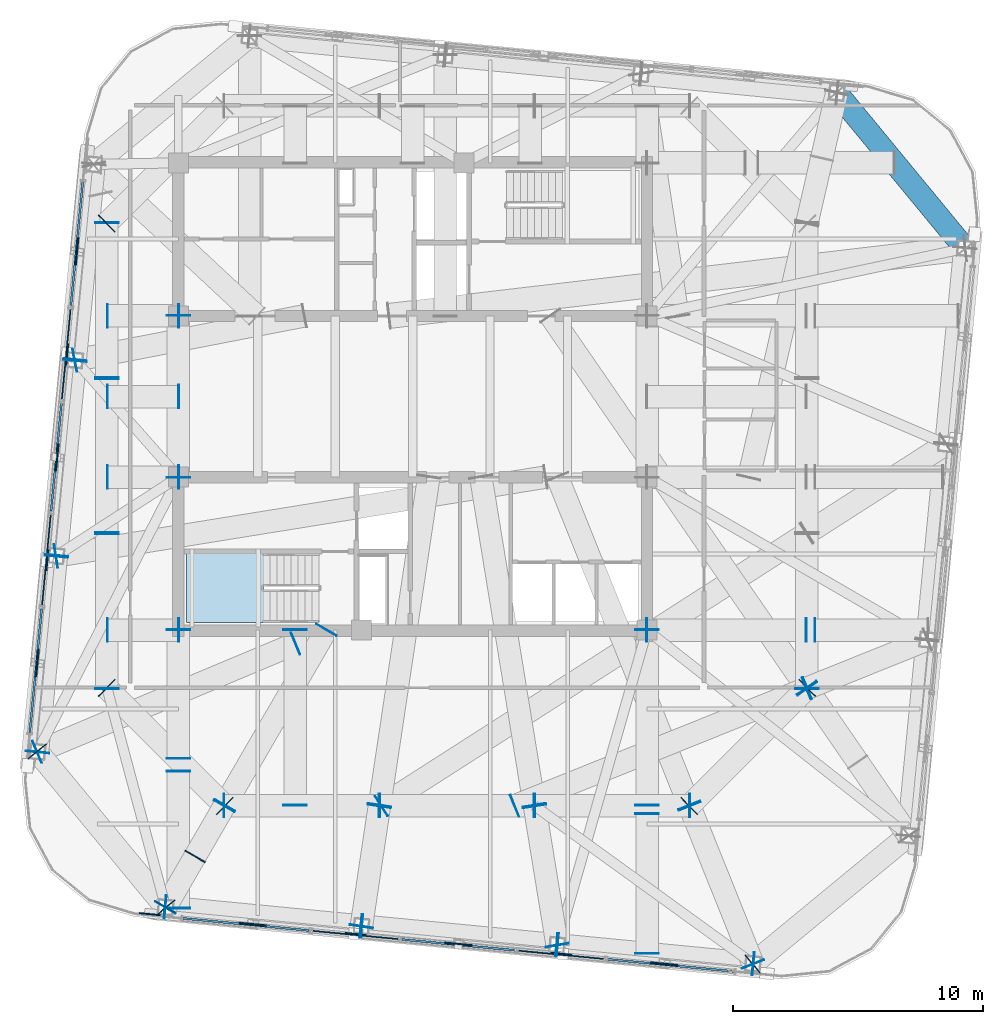
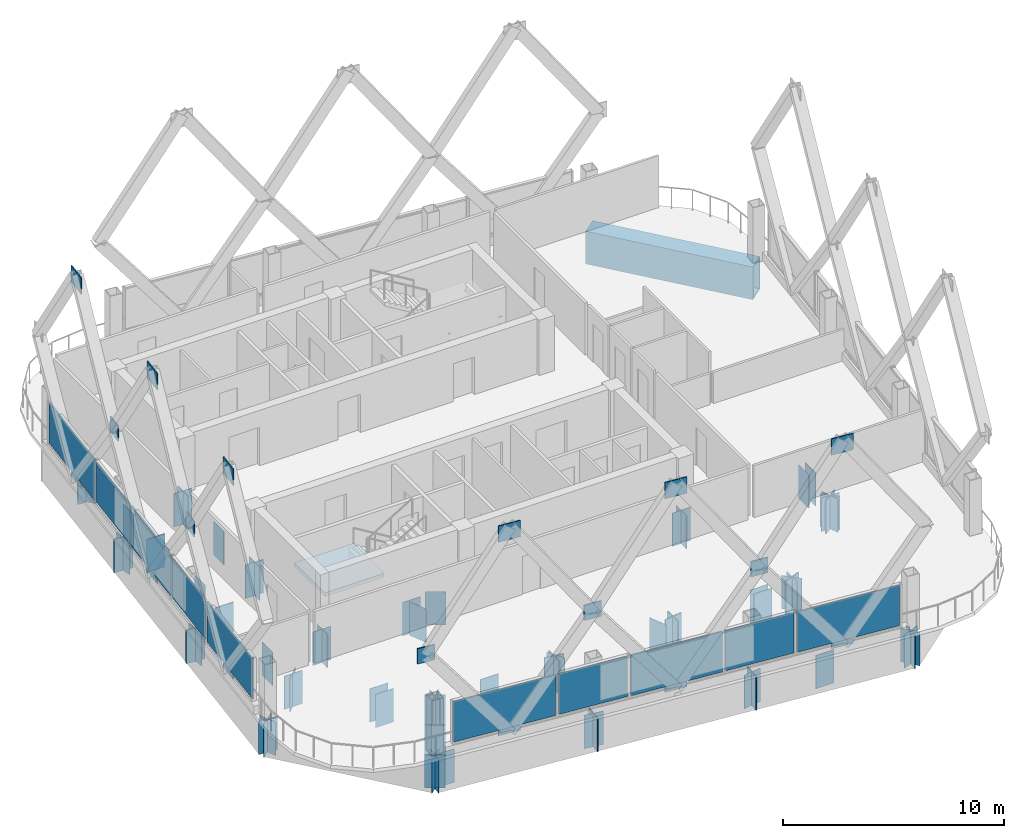
# One storey, part 23 of 31: 107 plates, 1 beam, 1 slab, 11 elements without a shape of their own.
"""IFC4 building model written with IfcOpenShell, lengths in metres."""

from ifc_helpers import new_model, si_unit, direction, frame, origin, origin_2d, place, context, subcontext, project, spatial, polyline, rectangle, hollow_rectangle, outline, extrude, material, layer, layer_set, material_profile, profile_set, type_object, element, aggregate, save


model = new_model("IFC4")

# Units and contexts
model_context = context("Model", 3, precision=1e-05, world=origin(), true_north=direction((0.0, 1.0)))
body_context = subcontext(model_context, "Body", "Model", "MODEL_VIEW")
ifc_project = project(units=[si_unit("LENGTHUNIT", "METRE"), si_unit("AREAUNIT", "SQUARE_METRE"), si_unit("VOLUMEUNIT", "CUBIC_METRE"), si_unit("PLANEANGLEUNIT", "RADIAN"), si_unit("MASSUNIT", "GRAM", prefix="KILO")], contexts=[model_context])

# Site, building, storey
site_placement = place(None, origin())
site = spatial("IfcSite", under=ifc_project, at=site_placement, CompositionType="ELEMENT")
building_placement = place(site_placement, origin())
building = spatial("IfcBuilding", under=site, at=building_placement, Name="Qhalaya Broadcast Tower", CompositionType="ELEMENT")
storey_placement = place(building_placement, frame((0.0, 0.0, 242.85009765625)))
storey = spatial("IfcBuildingStorey", under=building, at=storey_placement, Name="L71", CompositionType="ELEMENT", Elevation=242.85009765625)

# Beam
ifc_material_1 = material(Name="Structural Steel ASTM A572 Grade 50", Category="steel")
ifc_material_profile = material_profile(ifc_material_1, hollow_rectangle(XDim=0.89990234375, YDim=1.800048828125, WallThickness=0.06005859375, at=origin_2d()), Name="BOX 900x1800x60")
ifc_profile_set = profile_set([ifc_material_profile], Name="Structural Steel ASTM A572 Grade 50")
beam_type = type_object("IfcBeamType", Name="Block Cantilever Transfer Box Girder TG1", PredefinedType="USERDEFINED", material=ifc_profile_set)
beam_placement = place(storey_placement, frame((22.09033203125, 6.5283203125, -1.090087890625), z_axis=(-0.636070241972, 0.771631160126, 0.0), x_axis=(-0.771631160126, -0.636070241972, 0.0)))
element("IfcBeam", 1, at=beam_placement, inside=storey, type_object=beam_type, Name="L71 TG1 L71-SPR-08", ObjectType="GIRDER", PredefinedType="USERDEFINED", context=body_context, shape_type="SweptSolid", body=[
    extrude(hollow_rectangle(XDim=0.89990234375, YDim=1.800048828125, WallThickness=0.06005859375, at=origin_2d()), origin(), (0.0, 0.0, 1.0), 8.06103515625),
])

# Plates
ifc_layer_1 = layer(ifc_material_1, 0.054931640625, Name="Structural Steel ASTM A572 Grade 50")
ifc_layer_set_1 = layer_set([ifc_layer_1], Name="Structural Steel ASTM A572 Grade 50")
plate_type_1 = type_object("IfcPlateType", Name="Exoskeleton Diamond Node Gusset Plate NP-01", PredefinedType="USERDEFINED", material=ifc_layer_set_1)
for number, where, z_axis, x_axis, name in (
    (2, (-6.3984375, -20.505615234375, 0.2099609375), (0.0, 0.0, 1.0), (0.995396198367, -0.09584575252, 0.0), "Exoskeleton Diamond Node B6-S1-BOT"),
    (3, (-6.3984375, -20.505615234375, 10.8798828125), (0.0, 0.0, 1.0), (0.995396198367, -0.09584575252, 0.0), "Exoskeleton Diamond Node B6-S1-TOP"),
):
    element("IfcPlate", number, at=place(storey_placement, frame(where, z_axis=z_axis, x_axis=x_axis)), inside=storey, type_object=plate_type_1, Name=name, ObjectType="GUSSET_PLATE", PredefinedType="USERDEFINED", context=body_context, shape_type="SweptSolid", body=[
        extrude(rectangle(XDim=1.10009765625, YDim=0.054931640625, at=origin_2d()), origin(), (0.0, 0.0, 1.0), 0.89990234375),
    ])
plate_1_placement = place(storey_placement, frame((-10.5126953125, -20.109375, 5.329833984375), z_axis=(0.0, 0.0, 1.0), x_axis=(0.995396198367, -0.09584575252, 0.0)))
element("IfcPlate", 4, at=plate_1_placement, inside=storey, type_object=plate_type_1, Name="Exoskeleton Diamond Node B6-S1-MDL", ObjectType="GUSSET_PLATE", PredefinedType="USERDEFINED", context=body_context, shape_type="SweptSolid", body=[
    extrude(rectangle(XDim=0.85009765625, YDim=0.054931640625, at=origin_2d()), origin(), (0.0, 0.0, 1.0), 0.85009765625),
])
for number, where, z_axis, x_axis, name in (
    (5, (1.830078125, -21.2978515625, 0.2099609375), (0.0, 0.0, 1.0), (0.995396198367, -0.09584575252, 0.0), "Exoskeleton Diamond Node B6-S2-BOT"),
    (6, (1.830078125, -21.2978515625, 10.8798828125), (0.0, 0.0, 1.0), (0.995396198367, -0.09584575252, 0.0), "Exoskeleton Diamond Node B6-S2-TOP"),
):
    element("IfcPlate", number, at=place(storey_placement, frame(where, z_axis=z_axis, x_axis=x_axis)), inside=storey, type_object=plate_type_1, Name=name, ObjectType="GUSSET_PLATE", PredefinedType="USERDEFINED", context=body_context, shape_type="SweptSolid", body=[
        extrude(rectangle(XDim=1.10009765625, YDim=0.054931640625, at=origin_2d()), origin(), (0.0, 0.0, 1.0), 0.89990234375),
    ])
plate_2_placement = place(storey_placement, frame((-2.2841796875, -20.901611328125, 5.329833984375), z_axis=(0.0, 0.0, 1.0), x_axis=(0.995396198367, -0.09584575252, 0.0)))
element("IfcPlate", 7, at=plate_2_placement, inside=storey, type_object=plate_type_1, Name="Exoskeleton Diamond Node B6-S2-MDL", ObjectType="GUSSET_PLATE", PredefinedType="USERDEFINED", context=body_context, shape_type="SweptSolid", body=[
    extrude(rectangle(XDim=0.85009765625, YDim=0.054931640625, at=origin_2d()), origin(), (0.0, 0.0, 1.0), 0.85009765625),
])
for number, where, z_axis, x_axis, name in (
    (8, (10.05859375, -22.090087890625, 0.2099609375), (0.0, 0.0, 1.0), (0.995396198367, -0.09584575252, 0.0), "Exoskeleton Diamond Node B6-S3-BOT"),
    (9, (10.05859375, -22.090087890625, 10.8798828125), (0.0, 0.0, 1.0), (0.995396198367, -0.09584575252, 0.0), "Exoskeleton Diamond Node B6-S3-TOP"),
):
    element("IfcPlate", number, at=place(storey_placement, frame(where, z_axis=z_axis, x_axis=x_axis)), inside=storey, type_object=plate_type_1, Name=name, ObjectType="GUSSET_PLATE", PredefinedType="USERDEFINED", context=body_context, shape_type="SweptSolid", body=[
        extrude(rectangle(XDim=1.10009765625, YDim=0.054931640625, at=origin_2d()), origin(), (0.0, 0.0, 1.0), 0.89990234375),
    ])
plate_3_placement = place(storey_placement, frame((5.9443359375, -21.694091796875, 5.329833984375), z_axis=(0.0, 0.0, 1.0), x_axis=(0.995396198367, -0.09584575252, 0.0)))
element("IfcPlate", 10, at=plate_3_placement, inside=storey, type_object=plate_type_1, Name="Exoskeleton Diamond Node B6-S3-MDL", ObjectType="GUSSET_PLATE", PredefinedType="USERDEFINED", context=body_context, shape_type="SweptSolid", body=[
    extrude(rectangle(XDim=0.85009765625, YDim=0.054931640625, at=origin_2d()), origin(), (0.0, 0.0, 1.0), 0.85009765625),
])
for number, where, z_axis, x_axis, name in (
    (11, (-13.425537109375, 6.3984375, 0.2099609375), (0.0, 0.0, 1.0), (0.09584575252, 0.995396198367, 0.0), "Exoskeleton Diamond Node B6-W1-BOT"),
    (12, (-13.425537109375, 6.3984375, 10.8798828125), (0.0, 0.0, 1.0), (0.09584575252, 0.995396198367, 0.0), "Exoskeleton Diamond Node B6-W1-TOP"),
    (13, (-14.218017578125, -1.830078125, 0.2099609375), (0.0, 0.0, 1.0), (0.09584575252, 0.995396198367, 0.0), "Exoskeleton Diamond Node B6-W2-BOT"),
    (14, (-14.218017578125, -1.830078125, 10.8798828125), (0.0, 0.0, 1.0), (0.09584575252, 0.995396198367, 0.0), "Exoskeleton Diamond Node B6-W2-TOP"),
):
    element("IfcPlate", number, at=place(storey_placement, frame(where, z_axis=z_axis, x_axis=x_axis)), inside=storey, type_object=plate_type_1, Name=name, ObjectType="GUSSET_PLATE", PredefinedType="USERDEFINED", context=body_context, shape_type="SweptSolid", body=[
        extrude(rectangle(XDim=1.10009765625, YDim=0.054931640625, at=origin_2d()), origin(), (0.0, 0.0, 1.0), 0.89990234375),
    ])
plate_4_placement = place(storey_placement, frame((-13.82177734375, 2.2841796875, 5.329833984375), z_axis=(0.0, 0.0, 1.0), x_axis=(0.09584575252, 0.995396198367, 0.0)))
element("IfcPlate", 15, at=plate_4_placement, inside=storey, type_object=plate_type_1, Name="Exoskeleton Diamond Node B6-W2-MDL", ObjectType="GUSSET_PLATE", PredefinedType="USERDEFINED", context=body_context, shape_type="SweptSolid", body=[
    extrude(rectangle(XDim=0.85009765625, YDim=0.054931640625, at=origin_2d()), origin(), (0.0, 0.0, 1.0), 0.85009765625),
])
for number, where, z_axis, x_axis, name in (
    (16, (-15.01025390625, -10.05859375, 0.2099609375), (0.0, 0.0, 1.0), (0.09584575252, 0.995396198367, 0.0), "Exoskeleton Diamond Node B6-W3-BOT"),
    (17, (-15.01025390625, -10.05859375, 10.8798828125), (0.0, 0.0, 1.0), (0.09584575252, 0.995396198367, 0.0), "Exoskeleton Diamond Node B6-W3-TOP"),
):
    element("IfcPlate", number, at=place(storey_placement, frame(where, z_axis=z_axis, x_axis=x_axis)), inside=storey, type_object=plate_type_1, Name=name, ObjectType="GUSSET_PLATE", PredefinedType="USERDEFINED", context=body_context, shape_type="SweptSolid", body=[
        extrude(rectangle(XDim=1.10009765625, YDim=0.054931640625, at=origin_2d()), origin(), (0.0, 0.0, 1.0), 0.89990234375),
    ])
plate_5_placement = place(storey_placement, frame((-14.614013671875, -5.9443359375, 5.329833984375), z_axis=(0.0, 0.0, 1.0), x_axis=(0.09584575252, 0.995396198367, 0.0)))
element("IfcPlate", 18, at=plate_5_placement, inside=storey, type_object=plate_type_1, Name="Exoskeleton Diamond Node B6-W3-MDL", ObjectType="GUSSET_PLATE", PredefinedType="USERDEFINED", context=body_context, shape_type="SweptSolid", body=[
    extrude(rectangle(XDim=0.85009765625, YDim=0.054931640625, at=origin_2d()), origin(), (0.0, 0.0, 1.0), 0.85009765625),
])
ifc_layer_2 = layer(ifc_material_1, 0.4599609375, Name="Structural Steel ASTM A572 Grade 50")
ifc_layer_set_2 = layer_set([ifc_layer_2], Name="Structural Steel ASTM A572 Grade 50")
plate_type_2 = type_object("IfcPlateType", Name="Hollow Box Member End Cap Plate CP-01", PredefinedType="USERDEFINED", material=ifc_layer_set_2)
for number, where, z_axis, x_axis, name in (
    (19, (-9.89892578125, -19.826904296875, -2.01025390625), (0.0, 0.0, 1.0), (0.095828379565, 0.99539787104, 0.0), "L71 Hollow Girder End Cap L71-SPR-01-A"),
    (20, (-2.03662109375, -20.583984375, -2.01025390625), (0.0, 0.0, 1.0), (0.095828379565, 0.99539787104, 0.0), "L71 Hollow Girder End Cap L71-SPR-01-B"),
    (21, (-2.068359375, -20.580810546875, -2.01025390625), (0.0, 0.0, 1.0), (0.09584575252, 0.995396198367, 0.0), "L71 Hollow Girder End Cap L71-SPR-02-A"),
    (22, (5.793701171875, -21.337890625, -2.01025390625), (0.0, 0.0, 1.0), (0.09584575252, 0.995396198367, 0.0), "L71 Hollow Girder End Cap L71-SPR-02-B"),
    (23, (5.761962890625, -21.3349609375, -2.01025390625), (0.0, 0.0, 1.0), (0.09584575252, 0.995396198367, 0.0), "L71 Hollow Girder End Cap L71-SPR-03-A"),
    (24, (13.624267578125, -22.091796875, -2.01025390625), (0.0, 0.0, 1.0), (0.09584575252, 0.995396198367, 0.0), "L71 Hollow Girder End Cap L71-SPR-03-B"),
    (25, (13.59619140625, -22.1005859375, -2.01025390625), (0.0, 0.0, 1.0), (-0.636078220278, 0.771624583388, 0.0), "L71 Hollow Girder End Cap L71-SPR-04-A"),
    (26, (-13.50390625, 2.03662109375, -2.01025390625), (0.0, 0.0, 1.0), (0.99539787104, -0.095828379565, 0.0), "L71 Hollow Girder End Cap L71-SPR-13-B"),
    (27, (-13.5009765625, 2.068359375, -2.01025390625), (0.0, 0.0, 1.0), (0.995396198367, -0.09584575252, 0.0), "L71 Hollow Girder End Cap L71-SPR-14-A"),
    (28, (-14.2578125, -5.793701171875, -2.01025390625), (0.0, 0.0, 1.0), (0.995396198367, -0.09584575252, 0.0), "L71 Hollow Girder End Cap L71-SPR-14-B"),
    (29, (-14.2548828125, -5.761962890625, -2.01025390625), (0.0, 0.0, 1.0), (0.995396198367, -0.09584575252, 0.0), "L71 Hollow Girder End Cap L71-SPR-15-A"),
    (30, (-15.011962890625, -13.624267578125, -2.01025390625), (0.0, 0.0, 1.0), (0.995396198367, -0.09584575252, 0.0), "L71 Hollow Girder End Cap L71-SPR-15-B"),
    (31, (-15.0205078125, -13.59619140625, -2.01025390625), (0.0, 0.0, 1.0), (0.771624583388, 0.636078220278, 0.0), "L71 Hollow Girder End Cap L71-SPR-16-A"),
    (32, (-9.872802734375, -19.8408203125, -2.01025390625), (0.0, 0.0, 1.0), (0.771624583388, 0.636078220278, 0.0), "L71 Hollow Girder End Cap L71-SPR-16-B"),
    (33, (-7.5458984375, -15.77001953125, -2.01025390625), (0.0, 0.0, 1.0), (0.0, 1.0, 0.0), "L71 Hollow Girder End Cap L71-TGL-01-A"),
    (34, (-1.31396484375, -15.77001953125, -2.01025390625), (0.0, 0.0, 1.0), (0.0, 1.0, 0.0), "L71 Hollow Girder End Cap L71-TGL-01-B"),
    (35, (-1.345947265625, -15.77001953125, -2.01025390625), (0.0, 0.0, 1.0), (0.0, 1.0, 0.0), "L71 Hollow Girder End Cap L71-TGL-02-A"),
    (36, (4.885986328125, -15.77001953125, -2.01025390625), (0.0, 0.0, 1.0), (0.0, 1.0, 0.0), "L71 Hollow Girder End Cap L71-TGL-02-B"),
    (37, (4.85400390625, -15.77001953125, -2.01025390625), (0.0, 0.0, 1.0), (0.0, 1.0, 0.0), "L71 Hollow Girder End Cap L71-TGL-03-A"),
    (38, (11.0859375, -15.77001953125, -2.01025390625), (0.0, 0.0, 1.0), (0.0, 1.0, 0.0), "L71 Hollow Girder End Cap L71-TGL-03-B"),
    (39, (11.05859375, -15.78125, -2.01025390625), (0.0, 0.0, 1.0), (-0.707106781187, 0.707106781187, 0.0), "L71 Hollow Girder End Cap L71-TGL-04-A"),
    (40, (15.78125, -11.05859375, -2.01025390625), (0.0, 0.0, 1.0), (-0.707106781187, 0.707106781187, 0.0), "L71 Hollow Girder End Cap L71-TGL-04-B"),
    (41, (15.77001953125, -11.0859375, -2.01025390625), (0.0, 0.0, 1.0), (-1.0, 0.0, 0.0), "L71 Hollow Girder End Cap L71-TGL-05-A"),
    (42, (-12.2412109375, 7.518798828125, -2.01025390625), (0.0, 0.0, 1.0), (0.707106781187, -0.707106781187, 0.0), "L71 Hollow Girder End Cap L71-TGL-12-B"),
    (43, (-12.22998046875, 7.5458984375, -2.01025390625), (0.0, 0.0, 1.0), (1.0, 0.0, 0.0), "L71 Hollow Girder End Cap L71-TGL-13-A"),
    (44, (-12.22998046875, 1.31396484375, -2.01025390625), (0.0, 0.0, 1.0), (1.0, 0.0, 0.0), "L71 Hollow Girder End Cap L71-TGL-13-B"),
    (45, (-12.22998046875, 1.345947265625, -2.01025390625), (0.0, 0.0, 1.0), (1.0, 0.0, 0.0), "L71 Hollow Girder End Cap L71-TGL-14-A"),
    (46, (-12.22998046875, -4.885986328125, -2.01025390625), (0.0, 0.0, 1.0), (1.0, 0.0, 0.0), "L71 Hollow Girder End Cap L71-TGL-14-B"),
    (47, (-12.22998046875, -4.85400390625, -2.01025390625), (0.0, 0.0, 1.0), (1.0, 0.0, 0.0), "L71 Hollow Girder End Cap L71-TGL-15-A"),
    (48, (-12.22998046875, -11.0859375, -2.01025390625), (0.0, 0.0, 1.0), (1.0, 0.0, 0.0), "L71 Hollow Girder End Cap L71-TGL-15-B"),
    (49, (-12.2412109375, -11.05859375, -2.01025390625), (0.0, 0.0, 1.0), (0.707106781187, 0.707106781187, 0.0), "L71 Hollow Girder End Cap L71-TGL-16-A"),
    (50, (-7.518798828125, -15.78125, -2.01025390625), (0.0, 0.0, 1.0), (0.707106781187, 0.707106781187, 0.0), "L71 Hollow Girder End Cap L71-TGL-16-B"),
    (51, (-4.699951171875, -15.74609375, -2.01025390625), (0.0, 0.0, 1.0), (-1.0, 0.0, 0.0), "L71 Hollow Girder End Cap L71-TGIMSW-1-A"),
    (52, (-4.699951171875, -8.73388671875, -2.01025390625), (0.0, 0.0, 1.0), (-1.0, 0.0, 0.0), "L71 Hollow Girder End Cap L71-TGIMSW-1-B"),
    (53, (-12.2060546875, 0.60009765625, -2.01025390625), (0.0, 0.0, 1.0), (0.0, 1.0, 0.0), "L71 Hollow Girder End Cap L71-TGIYW-1-A"),
    (54, (-9.35888671875, 0.60009765625, -2.01025390625), (0.0, 0.0, 1.0), (0.0, 1.0, 0.0), "L71 Hollow Girder End Cap L71-TGIYW-1-B"),
    (55, (-9.375, -13.884521484375, -2.01025390625), (0.0, 0.0, 1.0), (-1.0, 0.0, 0.0), "L71 Hollow Girder End Cap L71-TGISW-1-A"),
    (56, (-9.375, -8.73388671875, -2.01025390625), (0.0, 0.0, 1.0), (-1.0, 0.0, 0.0), "L71 Hollow Girder End Cap L71-TGISW-1-B"),
    (57, (9.375, -15.74609375, -2.01025390625), (0.0, 0.0, 1.0), (-1.0, 0.0, 0.0), "L71 Hollow Girder End Cap L71-TGISE-1-A"),
    (58, (9.375, -8.73388671875, -2.01025390625), (0.0, 0.0, 1.0), (-1.0, 0.0, 0.0), "L71 Hollow Girder End Cap L71-TGISE-1-B"),
    (59, (-9.375, -2.64111328125, -2.01025390625), (0.0, 0.0, 1.0), (-1.0, 0.0, 0.0), "L71 Hollow Girder End Cap L71-TGIMW-1-A"),
    (60, (-9.375, 3.841064453125, -2.01025390625), (0.0, 0.0, 1.0), (-1.0, 0.0, 0.0), "L71 Hollow Girder End Cap L71-TGIMW-1-B"),
    (61, (-12.2060546875, -8.75, -2.01025390625), (0.0, 0.0, 1.0), (0.0, 1.0, 0.0), "L71 Hollow Girder End Cap L71-TGIY1W-1-A"),
    (62, (-9.35888671875, -8.75, -2.01025390625), (0.0, 0.0, 1.0), (0.0, 1.0, 0.0), "L71 Hollow Girder End Cap L71-TGIY1W-1-B"),
    (63, (9.35888671875, -8.75, -2.01025390625), (0.0, 0.0, 1.0), (0.0, 1.0, 0.0), "L71 Hollow Girder End Cap L71-TGIY1E-1-A"),
    (64, (15.74609375, -8.75, -2.01025390625), (0.0, 0.0, 1.0), (0.0, 1.0, 0.0), "L71 Hollow Girder End Cap L71-TGIY1E-1-B"),
    (65, (-12.2060546875, -2.625, -2.01025390625), (0.0, 0.0, 1.0), (0.0, 1.0, 0.0), "L71 Hollow Girder End Cap L71-TGIY2W-1-A"),
    (66, (-9.35888671875, -2.625, -2.01025390625), (0.0, 0.0, 1.0), (0.0, 1.0, 0.0), "L71 Hollow Girder End Cap L71-TGIY2W-1-B"),
    (67, (-12.2060546875, 3.824951171875, -2.01025390625), (0.0, 0.0, 1.0), (0.0, 1.0, 0.0), "L71 Hollow Girder End Cap L71-TGIY3W-1-A"),
    (68, (-9.35888671875, 3.824951171875, -2.01025390625), (0.0, 0.0, 1.0), (0.0, 1.0, 0.0), "L71 Hollow Girder End Cap L71-TGIY3W-1-B"),
    (69, (-3.451904296875, -8.736083984375, -2.01025390625), (0.0, 0.0, 1.0), (0.865116406407, -0.501571134901, 0.0), "L71 Hollow Girder End Cap L71-TGA-01-A"),
    (70, (-7.5380859375, -15.78369140625, -2.01025390625), (0.0, 0.0, 1.0), (0.865116406407, -0.501571134901, 0.0), "L71 Hollow Girder End Cap L71-TGA-01-B"),
    (71, (-7.52197265625, -15.756103515625, -2.01025390625), (0.0, 0.0, 1.0), (0.865116406407, -0.501571134901, 0.0), "L71 Hollow Girder End Cap L71-TGC-01-A"),
    (72, (-9.89111328125, -19.84228515625, -2.01025390625), (0.0, 0.0, 1.0), (0.865116406407, -0.501571134901, 0.0), "L71 Hollow Girder End Cap L71-TGC-01-B"),
):
    element("IfcPlate", number, at=place(storey_placement, frame(where, z_axis=z_axis, x_axis=x_axis)), inside=storey, type_object=plate_type_2, Name=name, ObjectType="COVER_PLATE", PredefinedType="USERDEFINED", context=body_context, shape_type="SweptSolid", body=[
        extrude(rectangle(XDim=0.93994140625, YDim=0.031982421875, at=origin_2d()), origin(), (0.0, 0.0, 1.0), 1.840087890625),
    ])
plate_6_placement = place(storey_placement, frame((-9.883056640625, -19.82861328125, -1.990234375), z_axis=(0.0, 0.0, 1.0), x_axis=(0.865116406407, -0.501571134901, 0.0)))
element("IfcPlate", 73, at=plate_6_placement, inside=storey, type_object=plate_type_2, Name="L71 Transfer Box End Cap 01", ObjectType="COVER_PLATE", PredefinedType="USERDEFINED", context=body_context, shape_type="SweptSolid", body=[
    extrude(rectangle(XDim=0.919921875, YDim=0.035888671875, at=origin_2d()), origin(), (0.0, 0.0, 1.0), 1.800048828125),
])
for number, where, z_axis, x_axis, name in (
    (74, (-1.33251953125, -15.785888671875, -2.01025390625), (0.0, 0.0, 1.0), (0.988917614937, -0.148465318734, 0.0), "L71 Hollow Girder End Cap L71-TGA-02-B"),
    (75, (-1.32763671875, -15.754150390625, -2.01025390625), (0.0, 0.0, 1.0), (0.988917614937, -0.148465318734, 0.0), "L71 Hollow Girder End Cap L71-TGC-02-A"),
    (76, (-2.054931640625, -20.59814453125, -2.01025390625), (0.0, 0.0, 1.0), (0.988917614937, -0.148465318734, 0.0), "L71 Hollow Girder End Cap L71-TGC-02-B"),
    (77, (4.87255859375, -15.785888671875, -2.01025390625), (0.0, 0.0, 1.0), (0.986957060278, 0.160983729511, 0.0), "L71 Hollow Girder End Cap L71-TGA-03-B"),
    (78, (4.867431640625, -15.754150390625, -2.01025390625), (0.0, 0.0, 1.0), (0.986957060278, 0.160983729511, 0.0), "L71 Hollow Girder End Cap L71-TGC-03-A"),
    (79, (5.780517578125, -21.352294921875, -2.01025390625), (0.0, 0.0, 1.0), (0.986957060278, 0.160983729511, 0.0), "L71 Hollow Girder End Cap L71-TGC-03-B"),
    (80, (11.075927734375, -15.784912109375, -2.01025390625), (0.0, 0.0, 1.0), (0.927959890314, 0.37268007992, 0.0), "L71 Hollow Girder End Cap L71-TGA-04-B"),
    (81, (11.06396484375, -15.755126953125, -2.01025390625), (0.0, 0.0, 1.0), (0.927959890314, 0.37268007992, 0.0), "L71 Hollow Girder End Cap L71-TGC-04-A"),
    (82, (13.614501953125, -22.105224609375, -2.01025390625), (0.0, 0.0, 1.0), (0.927959890314, 0.37268007992, 0.0), "L71 Hollow Girder End Cap L71-TGC-04-B"),
    (83, (15.779052734375, -11.083251953125, -2.01025390625), (0.0, 0.0, 1.0), (0.823582098047, 0.56719708019, 0.0), "L71 Hollow Girder End Cap L71-TGA-05-B"),
    (84, (15.760986328125, -11.056884765625, -2.01025390625), (0.0, 0.0, 1.0), (0.823582098047, 0.56719708019, 0.0), "L71 Hollow Girder End Cap L71-TGC-05-A"),
    (85, (4.081298828125, -15.77587890625, -2.01025390625), (0.0, 0.0, 1.0), (-0.373473545352, 0.927640830776, 0.0), "L71 Hollow Girder End Cap L71-TGA-06-A"),
    (86, (15.784912109375, -11.06396484375, -2.01025390625), (0.0, 0.0, 1.0), (-0.373473545352, 0.927640830776, 0.0), "L71 Hollow Girder End Cap L71-TGA-06-B"),
    (87, (15.755126953125, -11.075927734375, -2.01025390625), (0.0, 0.0, 1.0), (-0.373473545352, 0.927640830776, 0.0), "L71 Hollow Girder End Cap L71-TGC-06-A"),
    (88, (-1.2490234375, -15.778564453125, -2.01025390625), (0.0, 0.0, 1.0), (-0.539638009724, 0.841897154326, 0.0), "L71 Hollow Girder End Cap L71-TGA-07-A"),
    (89, (-13.51806640625, 2.049560546875, -2.01025390625), (0.0, 0.0, 1.0), (0.190037968418, -0.981776741708, 0.0), "L71 Hollow Girder End Cap L71-TGA-14-B"),
    (90, (-14.272216796875, -5.780517578125, -2.01025390625), (0.0, 0.0, 1.0), (0.15917476692, -0.987250420904, 0.0), "L71 Hollow Girder End Cap L71-TGA-15-B"),
    (91, (-4.685302734375, -9.281005859375, -2.01025390625), (0.0, 0.0, 1.0), (0.386533904635, -0.922275197849, 0.0), "L71 Hollow Girder End Cap L71-TGA-16-A"),
    (92, (-15.025146484375, -13.614501953125, -2.01025390625), (0.0, 0.0, 1.0), (0.386533904635, -0.922275197849, 0.0), "L71 Hollow Girder End Cap L71-TGA-16-B"),
    (93, (-9.375, -19.873291015625, -2.01025390625), (0.0, 0.0, 1.0), (-1.0, 0.0, 0.0), "L71 Hollow Girder End Cap L71-PGXS1-OV1-A"),
    (94, (-9.375, -14.389892578125, -2.01025390625), (0.0, 0.0, 1.0), (-1.0, 0.0, 0.0), "L71 Hollow Girder End Cap L71-PGXS1-OV1-B"),
    (95, (9.375, -21.6787109375, -2.01025390625), (0.0, 0.0, 1.0), (-1.0, 0.0, 0.0), "L71 Hollow Girder End Cap L71-PGXS2-OV1-A"),
    (96, (9.375, -16.093994140625, -2.01025390625), (0.0, 0.0, 1.0), (-1.0, 0.0, 0.0), "L71 Hollow Girder End Cap L71-PGXS2-OV1-B"),
    (97, (16.093994140625, -8.75, -2.01025390625), (0.0, 0.0, 1.0), (0.0, 1.0, 0.0), "L71 Hollow Girder End Cap L71-PGYE1-OV1-A"),
):
    element("IfcPlate", number, at=place(storey_placement, frame(where, z_axis=z_axis, x_axis=x_axis)), inside=storey, type_object=plate_type_2, Name=name, ObjectType="COVER_PLATE", PredefinedType="USERDEFINED", context=body_context, shape_type="SweptSolid", body=[
        extrude(rectangle(XDim=0.93994140625, YDim=0.031982421875, at=origin_2d()), origin(), (0.0, 0.0, 1.0), 1.840087890625),
    ])

# Curtain wall, plate
ifc_material_2 = material(Name="Fired Architectural Terracotta", Category="masonry")
ifc_layer_3 = layer(ifc_material_2, 0.219970703125, Name="Fired Architectural Terracotta")
ifc_layer_set_3 = layer_set([ifc_layer_3], Name="Fired Architectural Terracotta")
curtain_wall_type_1 = type_object("IfcCurtainWallType", Name="Block-Cap Unitised Terracotta Spandrel Wall CW-07", PredefinedType="NOTDEFINED", material=ifc_layer_set_3)
curtain_wall_1_placement = place(storey_placement, origin())
curtain_wall_1 = element("IfcCurtainWall", 98, at=curtain_wall_1_placement, inside=storey, type_object=curtain_wall_type_1, Name="L71 Unitised Curtain Wall L71-CW-S1", PredefinedType="NOTDEFINED")
ifc_layer_4 = layer(ifc_material_2, 0.080078125, Name="Fired Architectural Terracotta")
ifc_layer_set_4 = layer_set([ifc_layer_4], Name="Fired Architectural Terracotta")
plate_type_3 = type_object("IfcPlateType", Name="Insulated Terracotta Spandrel Panel TSP-07", PredefinedType="CURTAIN_PANEL", material=ifc_layer_set_4)
plate_7_placement = place(storey_placement, frame((-6.67138671875, -20.51953125, 0.554931640625), z_axis=(0.0, 0.0, 1.0), x_axis=(0.995395942778, -0.095848406879, 0.0)))
plate_7 = element("IfcPlate", 99, at=plate_7_placement, type_object=plate_type_3, Name="CW-07 panel 1.1", PredefinedType="CURTAIN_PANEL", context=body_context, shape_type="SweptSolid", body=[
    extrude(rectangle(XDim=5.075927734375, YDim=0.080078125, at=origin_2d()), origin(), (0.0, 0.0, 1.0), 2.22998046875),
])
aggregate(curtain_wall_1, [plate_7])

curtain_wall_2_placement = place(storey_placement, origin())
curtain_wall_2 = element("IfcCurtainWall", 100, at=curtain_wall_2_placement, inside=storey, type_object=curtain_wall_type_1, Name="L71 Unitised Curtain Wall L71-CW-S3", PredefinedType="NOTDEFINED")
plate_8_placement = place(storey_placement, frame((1.826416015625, -21.337646484375, 0.554931640625), z_axis=(0.0, 0.0, 1.0), x_axis=(0.995394786046, -0.095860418903, 0.0)))
plate_8 = element("IfcPlate", 101, at=plate_8_placement, type_object=plate_type_3, Name="CW-07 panel 1.1", PredefinedType="CURTAIN_PANEL", context=body_context, shape_type="SweptSolid", body=[
    extrude(rectangle(XDim=4.535888671875, YDim=0.080078125, at=origin_2d()), origin(), (0.0, 0.0, 1.0), 2.22998046875),
])
aggregate(curtain_wall_2, [plate_8])

curtain_wall_3_placement = place(storey_placement, origin())
curtain_wall_3 = element("IfcCurtainWall", 102, at=curtain_wall_3_placement, inside=storey, type_object=curtain_wall_type_1, Name="L71 Unitised Curtain Wall L71-CW-S5", PredefinedType="NOTDEFINED")
plate_9_placement = place(storey_placement, frame((10.323974609375, -22.156005859375, 0.554931640625), z_axis=(0.0, 0.0, 1.0), x_axis=(0.995395942778, -0.095848406879, 0.0)))
plate_9 = element("IfcPlate", 103, at=plate_9_placement, type_object=plate_type_3, Name="CW-07 panel 1.1", PredefinedType="CURTAIN_PANEL", context=body_context, shape_type="SweptSolid", body=[
    extrude(rectangle(XDim=5.075927734375, YDim=0.080078125, at=origin_2d()), origin(), (0.0, 0.0, 1.0), 2.22998046875),
])
aggregate(curtain_wall_3, [plate_9])

curtain_wall_4_placement = place(storey_placement, origin())
curtain_wall_4 = element("IfcCurtainWall", 104, at=curtain_wall_4_placement, inside=storey, type_object=curtain_wall_type_1, Name="L71 Unitised Curtain Wall L71-CW-W1", PredefinedType="NOTDEFINED")
plate_10_placement = place(storey_placement, frame((-13.434814453125, 6.71923828125, 0.554931640625), z_axis=(0.0, 0.0, 1.0), x_axis=(-0.095847607498, -0.995396019751, 0.0)))
plate_10 = element("IfcPlate", 105, at=plate_10_placement, type_object=plate_type_3, Name="CW-07 panel 1.1", PredefinedType="CURTAIN_PANEL", context=body_context, shape_type="SweptSolid", body=[
    extrude(rectangle(XDim=4.97998046875, YDim=0.080078125, at=origin_2d()), origin(), (0.0, 0.0, 1.0), 2.22998046875),
])
aggregate(curtain_wall_4, [plate_10])

curtain_wall_5_placement = place(storey_placement, origin())
curtain_wall_5 = element("IfcCurtainWall", 106, at=curtain_wall_5_placement, inside=storey, type_object=curtain_wall_type_1, Name="L71 Unitised Curtain Wall L71-CW-W3", PredefinedType="NOTDEFINED")
plate_11_placement = place(storey_placement, frame((-14.2578125, -1.826171875, 0.554931640625), z_axis=(0.0, 0.0, 1.0), x_axis=(-0.09586123001, -0.995394707933, 0.0)))
plate_11 = element("IfcPlate", 107, at=plate_11_placement, type_object=plate_type_3, Name="CW-07 panel 1.1", PredefinedType="CURTAIN_PANEL", context=body_context, shape_type="SweptSolid", body=[
    extrude(rectangle(XDim=4.343994140625, YDim=0.080078125, at=origin_2d()), origin(), (0.0, 0.0, 1.0), 2.22998046875),
])
aggregate(curtain_wall_5, [plate_11])

curtain_wall_6_placement = place(storey_placement, origin())
curtain_wall_6 = element("IfcCurtainWall", 108, at=curtain_wall_6_placement, inside=storey, type_object=curtain_wall_type_1, Name="L71 Unitised Curtain Wall L71-CW-W5", PredefinedType="NOTDEFINED")
plate_12_placement = place(storey_placement, frame((-15.08056640625, -10.37158203125, 0.554931640625), z_axis=(0.0, 0.0, 1.0), x_axis=(-0.095847607498, -0.995396019751, 0.0)))
plate_12 = element("IfcPlate", 109, at=plate_12_placement, type_object=plate_type_3, Name="CW-07 panel 1.1", PredefinedType="CURTAIN_PANEL", context=body_context, shape_type="SweptSolid", body=[
    extrude(rectangle(XDim=4.97998046875, YDim=0.080078125, at=origin_2d()), origin(), (0.0, 0.0, 1.0), 2.22998046875),
])
aggregate(curtain_wall_6, [plate_12])

ifc_material_3 = material(Name="Solar-Control Low-E Triple Glazing", Category="glass")
ifc_layer_5 = layer(ifc_material_3, 0.219970703125, Name="Solar-Control Low-E Triple Glazing")
ifc_layer_set_5 = layer_set([ifc_layer_5], Name="Solar-Control Low-E Triple Glazing")
curtain_wall_type_2 = type_object("IfcCurtainWallType", Name="High-Altitude Upper-Shaft Triple Low-E Curtain Wall CW-04", PredefinedType="NOTDEFINED", material=ifc_layer_set_5)
curtain_wall_7_placement = place(storey_placement, origin())
curtain_wall_7 = element("IfcCurtainWall", 110, at=curtain_wall_7_placement, inside=storey, type_object=curtain_wall_type_2, Name="L71 Unitised Curtain Wall L71-CW-S2", PredefinedType="NOTDEFINED")
ifc_layer_6 = layer(ifc_material_3, 0.0419921875, Name="Solar-Control Low-E Triple Glazing")
ifc_layer_set_6 = layer_set([ifc_layer_6], Name="Solar-Control Low-E Triple Glazing")
plate_type_4 = type_object("IfcPlateType", Name="Solar-Control Curtain Glazing Panel GLP-04", PredefinedType="CURTAIN_PANEL", material=ifc_layer_set_6)
plate_13_placement = place(storey_placement, frame((-2.2880859375, -20.94140625, 0.554931640625), z_axis=(0.0, 0.0, 1.0), x_axis=(0.995397049282, -0.095836915023, 0.0)))
plate_13 = element("IfcPlate", 111, at=plate_13_placement, type_object=plate_type_4, Name="CW-04 panel 1.1", PredefinedType="CURTAIN_PANEL", context=body_context, shape_type="SweptSolid", body=[
    extrude(rectangle(XDim=3.43115234375, YDim=0.0419921875, at=origin_2d()), origin(), (0.0, 0.0, 1.0), 2.22998046875),
])
aggregate(curtain_wall_7, [plate_13])

curtain_wall_8_placement = place(storey_placement, origin())
curtain_wall_8 = element("IfcCurtainWall", 112, at=curtain_wall_8_placement, inside=storey, type_object=curtain_wall_type_2, Name="L71 Unitised Curtain Wall L71-CW-S4", PredefinedType="NOTDEFINED")
plate_14_placement = place(storey_placement, frame((5.940673828125, -21.73388671875, 0.554931640625), z_axis=(0.0, 0.0, 1.0), x_axis=(0.995396792791, -0.095839578992, 0.0)))
plate_14 = element("IfcPlate", 113, at=plate_14_placement, type_object=plate_type_4, Name="CW-04 panel 1.1", PredefinedType="CURTAIN_PANEL", context=body_context, shape_type="SweptSolid", body=[
    extrude(rectangle(XDim=3.430908203125, YDim=0.0419921875, at=origin_2d()), origin(), (0.0, 0.0, 1.0), 2.22998046875),
])
aggregate(curtain_wall_8, [plate_14])

curtain_wall_9_placement = place(storey_placement, origin())
curtain_wall_9 = element("IfcCurtainWall", 114, at=curtain_wall_9_placement, inside=storey, type_object=curtain_wall_type_2, Name="L71 Unitised Curtain Wall L71-CW-W2", PredefinedType="NOTDEFINED")
plate_15_placement = place(storey_placement, frame((-13.861572265625, 2.2880859375, 0.554931640625), z_axis=(0.0, 0.0, 1.0), x_axis=(-0.095839673292, -0.995396783712, 0.0)))
plate_15 = element("IfcPlate", 115, at=plate_15_placement, type_object=plate_type_4, Name="CW-04 panel 1.1", PredefinedType="CURTAIN_PANEL", context=body_context, shape_type="SweptSolid", body=[
    extrude(rectangle(XDim=3.623046875, YDim=0.0419921875, at=origin_2d()), origin(), (0.0, 0.0, 1.0), 2.22998046875),
])
aggregate(curtain_wall_9, [plate_15])

curtain_wall_10_placement = place(storey_placement, origin())
curtain_wall_10 = element("IfcCurtainWall", 116, at=curtain_wall_10_placement, inside=storey, type_object=curtain_wall_type_2, Name="L71 Unitised Curtain Wall L71-CW-W4", PredefinedType="NOTDEFINED")
plate_16_placement = place(storey_placement, frame((-14.65380859375, -5.940673828125, 0.554931640625), z_axis=(0.0, 0.0, 1.0), x_axis=(-0.095839673292, -0.995396783712, 0.0)))
plate_16 = element("IfcPlate", 117, at=plate_16_placement, type_object=plate_type_4, Name="CW-04 panel 1.1", PredefinedType="CURTAIN_PANEL", context=body_context, shape_type="SweptSolid", body=[
    extrude(rectangle(XDim=3.623046875, YDim=0.0419921875, at=origin_2d()), origin(), (0.0, 0.0, 1.0), 2.22998046875),
])
aggregate(curtain_wall_10, [plate_16])

# Stair, slab
ifc_material_4 = material(Name="Concrete C40/50", Category="concrete")
stair_type = type_object("IfcStairType", Name="Protected Dogleg Core Stair 3150", PredefinedType="TWO_STRAIGHT_RUN_STAIR", material=ifc_material_4)
stair_placement = place(storey_placement, origin())
stair = element("IfcStair", 118, at=stair_placement, inside=storey, type_object=stair_type, Name="L71 South Core Exit Stair ST-2", PredefinedType="TWO_STRAIGHT_RUN_STAIR")
ifc_layer_7 = layer(ifc_material_4, 0.199951171875, Name="Concrete C40/50")
ifc_layer_set_7 = layer_set([ifc_layer_7], Name="Concrete C40/50")
slab_type = type_object("IfcSlabType", Name="Stair & Ramp Half-Landing Slab 200", PredefinedType="LANDING", material=ifc_layer_set_7)
slab_placement = place(storey_placement, frame((0.0, 0.0, 1.324951171875)))
slab = element("IfcSlab", 119, at=slab_placement, type_object=slab_type, Name="ST-2 landing 1", PredefinedType="LANDING", context=body_context, shape_type="SweptSolid", body=[
    extrude(outline(polyline([(-5.955078125, -5.679931640625), (-9.050048828125, -5.679931640625), (-9.050048828125, -8.43994140625), (-5.955078125, -8.43994140625), (-5.955078125, -5.679931640625)])), origin(), (0.0, 0.0, 1.0), 0.199951171875),
])
aggregate(stair, [slab])

# Plate
ifc_layer_8 = layer(ifc_material_1, 0.044921875, Name="Structural Steel ASTM A572 Grade 50")
ifc_layer_set_8 = layer_set([ifc_layer_8], Name="Structural Steel ASTM A572 Grade 50")
plate_type_5 = type_object("IfcPlateType", Name="Transfer Girder Web Stiffener Plate WS-01", PredefinedType="USERDEFINED", material=ifc_layer_set_8)
plate_17_placement = place(storey_placement, frame((-8.70654296875, -17.79931640625, -1.990234375), z_axis=(0.0, 0.0, 1.0), x_axis=(0.865116406407, -0.501571134901, 0.0)))
element("IfcPlate", 120, at=plate_17_placement, inside=storey, type_object=plate_type_5, Name="L71 Transfer Girder Stiffener 01", ObjectType="STIFFENER_PLATE", PredefinedType="USERDEFINED", context=body_context, shape_type="SweptSolid", body=[
    extrude(rectangle(XDim=0.93994140625, YDim=0.044921875, at=origin_2d()), origin(), (0.0, 0.0, 1.0), 1.800048828125),
])

save(model, "model.ifc")
